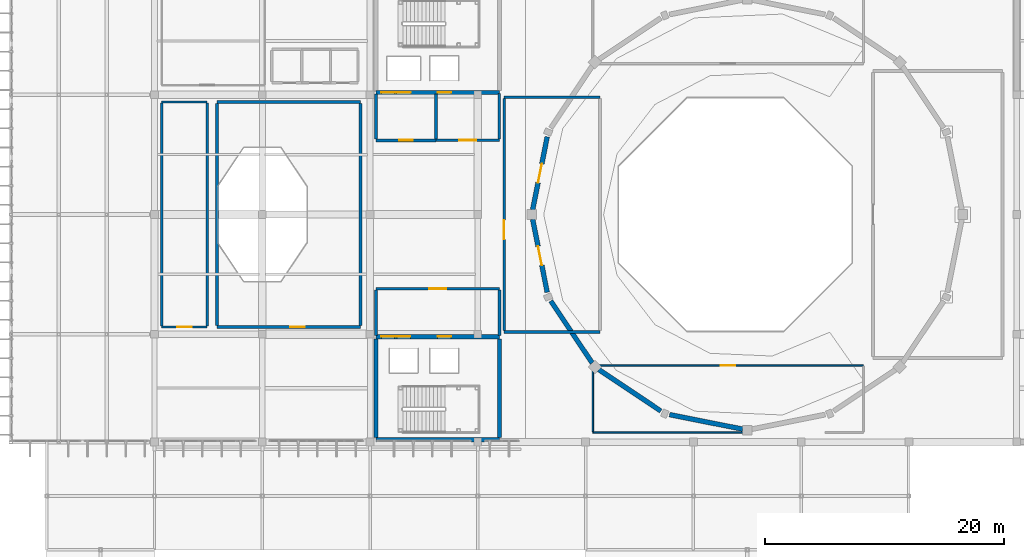
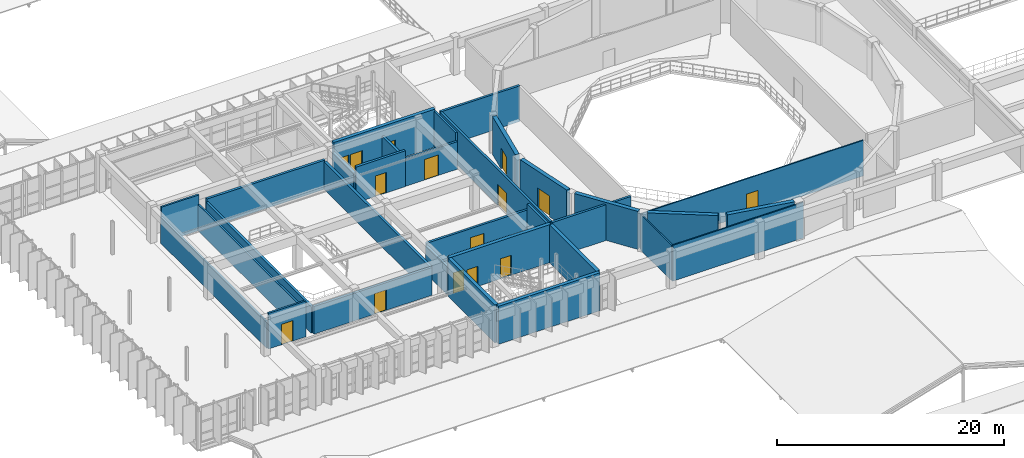
# One storey, part 69 of 80: 32 walls, 15 doors, 15 openings.
"""IFC4 building model written with IfcOpenShell, lengths in metres."""

from ifc_helpers import new_model, si_unit, direction, frame, frame_2d, origin, place, context, subcontext, project, spatial, rectangle, extrude, material, layer, layer_set, type_object, element, fill, save


model = new_model("IFC4")

# Units and contexts
model_context = context("Model", 3, precision=1e-05, world=origin(), true_north=direction((0.0, 1.0)))
body_context = subcontext(model_context, "Body", "Model", "MODEL_VIEW")
ifc_project = project(units=[si_unit("LENGTHUNIT", "METRE"), si_unit("AREAUNIT", "SQUARE_METRE"), si_unit("VOLUMEUNIT", "CUBIC_METRE"), si_unit("PLANEANGLEUNIT", "RADIAN"), si_unit("MASSUNIT", "GRAM", prefix="KILO")], contexts=[model_context])

# Site, building, storey
site_placement = place(None, origin())
site = spatial("IfcSite", under=ifc_project, at=site_placement, CompositionType="ELEMENT")
building_placement = place(site_placement, origin())
building = spatial("IfcBuilding", under=site, at=building_placement, Name="Miravela Opera House", CompositionType="ELEMENT")
storey_placement = place(building_placement, frame((0.0, 0.0, 17.679931640625)))
storey = spatial("IfcBuildingStorey", under=building, at=storey_placement, Name="L04", CompositionType="ELEMENT", Elevation=17.679931640625)

# Wall
ifc_material_1 = material(Name="Fire-rated acoustic gypsum partition")
ifc_layer_1 = layer(ifc_material_1, 0.1298828125)
ifc_layer_set_1 = layer_set([ifc_layer_1])
wall_type_1 = type_object("IfcWallType", Name="ARC-PT-130", PredefinedType="PARTITIONING", material=ifc_layer_set_1)
wall_1_placement = place(storey_placement, frame((63.60009765625, 37.800048828125, 0.0), z_axis=(0.0, 0.0, 1.0), x_axis=(1.0, 0.0, 0.0)))
element("IfcWall", 1, at=wall_1_placement, inside=storey, type_object=wall_type_1, Name="Opera Sound Archiving and Mastering Studio Partition South 1", PredefinedType="PARTITIONING", context=body_context, shape_type="SweptSolid", body=[
    extrude(rectangle(XDim=13.292236328125, YDim=0.1298828125, at=frame_2d((6.64599609375, 0.0))), origin(), (0.0, 0.0, 1.0), 3.840087890625),
])

# Wall, opening, door
wall_2_placement = place(storey_placement, frame((63.60009765625, 43.39990234375, 0.0), z_axis=(0.0, 0.0, 1.0), x_axis=(1.0, 0.0, 0.0)))
wall_2 = element("IfcWall", 2, at=wall_2_placement, inside=storey, type_object=wall_type_1, Name="Opera Sound Archiving and Mastering Studio Partition North", PredefinedType="PARTITIONING", context=body_context, shape_type="SweptSolid", body=[
    extrude(rectangle(XDim=22.599853515625, YDim=0.1298828125, at=frame_2d((11.2998046875, 0.0))), origin(), (0.0, 0.0, 1.0), 3.840087890625),
])
opening_1_placement = place(wall_2_placement, frame((10.699951171875, 0.0, 0.0)))
opening_1 = element("IfcOpeningElement", 3, at=opening_1_placement, cuts=wall_2, Name="Opening ID-04", PredefinedType="OPENING", context=body_context, shape_type="SweptSolid", body=[
    extrude(rectangle(XDim=1.199951171875, YDim=2.199951171875, at=frame_2d((0.60009765625, 1.10009765625))), frame((0.0, 0.074951171875, 0.0), z_axis=(0.0, -1.0, 0.0), x_axis=(1.0, 0.0, 0.0)), (0.0, 0.0, 1.0), 0.14990234375),
])
ifc_material_2 = material(Name="Wide acoustic ensemble door")
door_type_1 = type_object("IfcDoorType", Name="ARC-DR-1200X2200", OperationType="NOTDEFINED", PredefinedType="DOOR", material=ifc_material_2)
door_1_placement = place(opening_1_placement, origin())
door_1 = element("IfcDoor", 4, at=door_1_placement, inside=storey, type_object=door_type_1, Name="Opera Sound Archiving and Mastering Studio Entry Door IDR-L04-0321", OperationType="SINGLE_SWING_LEFT", OverallHeight=2.199951171875, OverallWidth=1.199951171875, PredefinedType="DOOR", context=body_context, shape_type="SweptSolid", body=[
    extrude(rectangle(XDim=1.199951171875, YDim=2.199951171875, at=frame_2d((0.60009765625, 1.10009765625))), frame((0.0, 0.02490234375, 0.0), z_axis=(0.0, -1.0, 0.0), x_axis=(1.0, 0.0, 0.0)), (0.0, 0.0, 1.0), 0.050048828125),
])
fill(opening_1, door_1)

# Wall
wall_3_placement = place(storey_placement, frame((63.60009765625, 37.864990234375, 0.0), z_axis=(0.0, 0.0, 1.0), x_axis=(0.0, 1.0, 0.0)))
element("IfcWall", 5, at=wall_3_placement, inside=storey, type_object=wall_type_1, Name="Opera Sound Archiving and Mastering Studio Partition West", PredefinedType="PARTITIONING", context=body_context, shape_type="SweptSolid", body=[
    extrude(rectangle(XDim=5.469970703125, YDim=0.1298828125, at=frame_2d((2.73486328125, 0.0))), origin(), (0.0, 0.0, 1.0), 3.840087890625),
])

# Wall, opening, door
ifc_material_3 = material(Name="Corridor fire-resisting masonry partition", Category="masonry")
ifc_layer_2 = layer(ifc_material_3, 0.18994140625)
ifc_layer_set_2 = layer_set([ifc_layer_2])
wall_type_2 = type_object("IfcWallType", Name="ARC-PT-190", PredefinedType="PARTITIONING", material=ifc_layer_set_2)
wall_4_placement = place(storey_placement, frame((27.60009765625, 46.60009765625, 0.0), z_axis=(0.0, 0.0, 1.0), x_axis=(1.0, 0.0, 0.0)))
wall_4 = element("IfcWall", 6, at=wall_4_placement, inside=storey, type_object=wall_type_2, Name="Radio and Television Broadcast Control Suite Partition South", PredefinedType="PARTITIONING", context=body_context, shape_type="SweptSolid", body=[
    extrude(rectangle(XDim=3.7998046875, YDim=0.18994140625, at=frame_2d((1.89990234375, 0.0))), origin(), (0.0, 0.0, 1.0), 3.840087890625),
])
opening_2_placement = place(wall_4_placement, frame((1.300048828125, 0.0, 0.0)))
opening_2 = element("IfcOpeningElement", 7, at=opening_2_placement, cuts=wall_4, Name="Opening FD-02", PredefinedType="OPENING", context=body_context, shape_type="SweptSolid", body=[
    extrude(rectangle(XDim=1.199951171875, YDim=2.199951171875, at=frame_2d((0.60009765625, 1.10009765625))), frame((0.0, 0.10498046875, 0.0), z_axis=(0.0, -1.0, 0.0), x_axis=(1.0, 0.0, 0.0)), (0.0, 0.0, 1.0), 0.2099609375),
])
ifc_material_4 = material(Name="Fire-rated gallery/plant exit door")
door_type_2 = type_object("IfcDoorType", Name="ARC-FD-1200X2200", OperationType="NOTDEFINED", PredefinedType="DOOR", material=ifc_material_4)
door_2_placement = place(opening_2_placement, origin())
door_2 = element("IfcDoor", 8, at=door_2_placement, inside=storey, type_object=door_type_2, Name="Radio and Television Broadcast Control Suite Entry Door IDR-L04-0312", OperationType="SINGLE_SWING_LEFT", OverallHeight=2.199951171875, OverallWidth=1.199951171875, PredefinedType="DOOR", context=body_context, shape_type="SweptSolid", body=[
    extrude(rectangle(XDim=1.199951171875, YDim=2.199951171875, at=frame_2d((0.60009765625, 1.10009765625))), frame((0.0, 0.02490234375, 0.0), z_axis=(0.0, -1.0, 0.0), x_axis=(1.0, 0.0, 0.0)), (0.0, 0.0, 1.0), 0.050048828125),
])
fill(opening_2, door_2)

# Walls
wall_5_placement = place(storey_placement, frame((27.60009765625, 65.39990234375, 0.0), z_axis=(0.0, 0.0, 1.0), x_axis=(1.0, 0.0, 0.0)))
element("IfcWall", 9, at=wall_5_placement, inside=storey, type_object=wall_type_2, Name="Radio and Television Broadcast Control Suite Partition North", PredefinedType="PARTITIONING", context=body_context, shape_type="SweptSolid", body=[
    extrude(rectangle(XDim=3.7998046875, YDim=0.18994140625, at=frame_2d((1.89990234375, 0.0))), origin(), (0.0, 0.0, 1.0), 3.840087890625),
])
for number, where, z_axis, x_axis, name in (
    (10, (27.60009765625, 46.695068359375, 0.0), (0.0, 0.0, 1.0), (0.0, 1.0, 0.0), "Radio and Television Broadcast Control Suite Partition West"),
    (11, (31.39990234375, 46.695068359375, 0.0), (0.0, 0.0, 1.0), (0.0, 1.0, 0.0), "Radio and Television Broadcast Control Suite Partition East"),
):
    element("IfcWall", number, at=place(storey_placement, frame(where, z_axis=z_axis, x_axis=x_axis)), inside=storey, type_object=wall_type_2, Name=name, PredefinedType="PARTITIONING", context=body_context, shape_type="SweptSolid", body=[
        extrude(rectangle(XDim=18.60986328125, YDim=0.18994140625, at=frame_2d((9.304931640625, 0.0))), origin(), (0.0, 0.0, 1.0), 2.820068359375),
    ])

# Wall, opening, door
ifc_material_5 = material(Name="High-STC auditorium lobby partition")
ifc_layer_3 = layer(ifc_material_5, 0.22998046875)
ifc_layer_set_3 = layer_set([ifc_layer_3])
wall_type_3 = type_object("IfcWallType", Name="ARC-PT-205", PredefinedType="PARTITIONING", material=ifc_layer_set_3)
wall_6_placement = place(storey_placement, frame((45.5, 49.800048828125, 0.0), z_axis=(0.0, 0.0, 1.0), x_axis=(1.0, 0.0, 0.0)))
wall_6 = element("IfcWall", 12, at=wall_6_placement, inside=storey, type_object=wall_type_3, Name="Passenger Lift Lobby K2 L04 Partition North", PredefinedType="PARTITIONING", context=body_context, shape_type="SweptSolid", body=[
    extrude(rectangle(XDim=10.300048828125, YDim=0.22998046875, at=frame_2d((5.14990234375, 0.0))), origin(), (0.0, 0.0, 1.0), 3.170166015625),
])
opening_3_placement = place(wall_6_placement, frame((4.449951171875, 0.0, 0.0)))
opening_3 = element("IfcOpeningElement", 13, at=opening_3_placement, cuts=wall_6, Name="Opening FD-03", PredefinedType="OPENING", context=body_context, shape_type="SweptSolid", body=[
    extrude(rectangle(XDim=1.39990234375, YDim=2.199951171875, at=frame_2d((0.699951171875, 1.10009765625))), frame((0.0, 0.125, 0.0), z_axis=(0.0, -1.0, 0.0), x_axis=(1.0, 0.0, 0.0)), (0.0, 0.0, 1.0), 0.25),
])
ifc_material_6 = material(Name="Fire-rated lobby/archive double door")
door_type_3 = type_object("IfcDoorType", Name="ARC-FD-1400X2200", OperationType="NOTDEFINED", PredefinedType="DOOR", material=ifc_material_6)
door_3_placement = place(opening_3_placement, origin())
door_3 = element("IfcDoor", 14, at=door_3_placement, inside=storey, type_object=door_type_3, Name="Passenger Lift Lobby K2 L04 Entry Door IDR-L04-0303", OperationType="DOUBLE_DOOR_SINGLE_SWING", OverallHeight=2.199951171875, OverallWidth=1.39990234375, PredefinedType="DOOR", context=body_context, shape_type="SweptSolid", body=[
    extrude(rectangle(XDim=1.39990234375, YDim=2.199951171875, at=frame_2d((0.699951171875, 1.10009765625))), frame((0.0, 0.02490234375, 0.0), z_axis=(0.0, -1.0, 0.0), x_axis=(1.0, 0.0, 0.0)), (0.0, 0.0, 1.0), 0.050048828125),
])
fill(opening_3, door_3)

# Walls
wall_7_placement = place(storey_placement, frame((45.5, 45.9150390625, 0.0), z_axis=(0.0, 0.0, 1.0), x_axis=(0.0, 1.0, 0.0)))
element("IfcWall", 15, at=wall_7_placement, inside=storey, type_object=wall_type_3, Name="Passenger Lift Lobby K2 L04 Partition West", PredefinedType="PARTITIONING", context=body_context, shape_type="SweptSolid", body=[
    extrude(rectangle(XDim=3.77001953125, YDim=0.22998046875, at=frame_2d((1.885009765625, 0.0))), origin(), (0.0, 0.0, 1.0), 2.969970703125),
])
wall_8_placement = place(storey_placement, frame((55.800048828125, 45.9150390625, 0.0), z_axis=(0.0, 0.0, 1.0), x_axis=(0.0, 1.0, 0.0)))
element("IfcWall", 16, at=wall_8_placement, inside=storey, type_object=wall_type_3, Name="Passenger Lift Lobby K2 L04 Partition East", PredefinedType="PARTITIONING", context=body_context, shape_type="SweptSolid", body=[
    extrude(rectangle(XDim=3.77001953125, YDim=0.22998046875, at=frame_2d((1.885009765625, 0.0))), origin(), (0.0, 0.0, 1.0), 3.840087890625),
])
for number, where, z_axis, x_axis, name in (
    (17, (56.199951171875, 46.199951171875, 0.0), (0.0, 0.0, 1.0), (1.0, 0.0, 0.0), "Opera Auditorium West Amphitheatre Salon Partition South"),
    (18, (56.199951171875, 65.800048828125, 0.0), (0.0, 0.0, 1.0), (1.0, 0.0, 0.0), "Opera Auditorium West Amphitheatre Salon Partition North"),
):
    element("IfcWall", number, at=place(storey_placement, frame(where, z_axis=z_axis, x_axis=x_axis)), inside=storey, type_object=wall_type_3, Name=name, PredefinedType="PARTITIONING", context=body_context, shape_type="SweptSolid", body=[
        extrude(rectangle(XDim=8.0, YDim=0.22998046875, at=frame_2d((4.0, 0.0))), origin(), (0.0, 0.0, 1.0), 3.840087890625),
    ])

# Wall, opening, door
wall_9_placement = place(storey_placement, frame((56.199951171875, 46.31494140625, 0.0), z_axis=(0.0, 0.0, 1.0), x_axis=(0.0, 1.0, 0.0)))
wall_9 = element("IfcWall", 19, at=wall_9_placement, inside=storey, type_object=wall_type_3, Name="Opera Auditorium West Amphitheatre Salon Partition West", PredefinedType="PARTITIONING", context=body_context, shape_type="SweptSolid", body=[
    extrude(rectangle(XDim=19.3701171875, YDim=0.22998046875, at=frame_2d((9.68505859375, 0.0))), origin(), (0.0, 0.0, 1.0), 3.840087890625),
])
opening_4_placement = place(wall_9_placement, frame((7.615234375, 0.0, 0.0)))
opening_4 = element("IfcOpeningElement", 20, at=opening_4_placement, cuts=wall_9, Name="Opening FD-04", PredefinedType="OPENING", context=body_context, shape_type="SweptSolid", body=[
    extrude(rectangle(XDim=1.60009765625, YDim=2.25, at=frame_2d((0.800048828125, 1.125))), frame((0.0, 0.125, 0.0), z_axis=(0.0, -1.0, 0.0), x_axis=(1.0, 0.0, 0.0)), (0.0, 0.0, 1.0), 0.25),
])
ifc_material_7 = material(Name="Fire-rated rehearsal/vomitory double door")
door_type_4 = type_object("IfcDoorType", Name="ARC-FD-1600X2250", OperationType="NOTDEFINED", PredefinedType="DOOR", material=ifc_material_7)
door_4_placement = place(opening_4_placement, origin())
door_4 = element("IfcDoor", 21, at=door_4_placement, inside=storey, type_object=door_type_4, Name="Opera Auditorium West Amphitheatre Salon Entry Door IDR-L04-0317", OperationType="DOUBLE_DOOR_SINGLE_SWING", OverallHeight=2.25, OverallWidth=1.60009765625, PredefinedType="DOOR", context=body_context, shape_type="SweptSolid", body=[
    extrude(rectangle(XDim=1.60009765625, YDim=2.25, at=frame_2d((0.800048828125, 1.125))), frame((0.0, 0.02490234375, 0.0), z_axis=(0.0, -1.0, 0.0), x_axis=(1.0, 0.0, 0.0)), (0.0, 0.0, 1.0), 0.050048828125),
])
fill(opening_4, door_4)

ifc_material_8 = material(Name="Workshop fire-resisting block partition")
ifc_layer_4 = layer(ifc_material_8, 0.2099609375)
ifc_layer_set_4 = layer_set([ifc_layer_4])
wall_type_4 = type_object("IfcWallType", Name="ARC-PT-210", PredefinedType="PARTITIONING", material=ifc_layer_set_4)
wall_10_placement = place(storey_placement, frame((50.5, 62.199951171875, 0.0), z_axis=(0.0, 0.0, 1.0), x_axis=(1.0, 0.0, 0.0)))
wall_10 = element("IfcWall", 22, at=wall_10_placement, inside=storey, type_object=wall_type_4, Name="Passenger Lift Lobby K1 L04 Partition South", PredefinedType="PARTITIONING", context=body_context, shape_type="SweptSolid", body=[
    extrude(rectangle(XDim=5.300048828125, YDim=0.2099609375, at=frame_2d((2.64990234375, 0.0))), origin(), (0.0, 0.0, 1.0), 2.969970703125),
])
opening_5_placement = place(wall_10_placement, frame((1.949951171875, 0.0, 0.0)))
opening_5 = element("IfcOpeningElement", 23, at=opening_5_placement, cuts=wall_10, Name="Opening FD-03", PredefinedType="OPENING", context=body_context, shape_type="SweptSolid", body=[
    extrude(rectangle(XDim=1.39990234375, YDim=2.199951171875, at=frame_2d((0.699951171875, 1.10009765625))), frame((0.0, 0.114990234375, 0.0), z_axis=(0.0, -1.0, 0.0), x_axis=(1.0, 0.0, 0.0)), (0.0, 0.0, 1.0), 0.22998046875),
])
door_5_placement = place(opening_5_placement, frame((1.39990234375, 0.0, 0.0), z_axis=(0.0, 0.0, 1.0), x_axis=(-1.0, 0.0, 0.0)))
door_5 = element("IfcDoor", 24, at=door_5_placement, inside=storey, type_object=door_type_3, Name="Passenger Lift Lobby K1 L04 Entry Door IDR-L04-0302", OperationType="DOUBLE_DOOR_SINGLE_SWING", OverallHeight=2.199951171875, OverallWidth=1.39990234375, PredefinedType="DOOR", context=body_context, shape_type="SweptSolid", body=[
    extrude(rectangle(XDim=1.39990234375, YDim=2.199951171875, at=frame_2d((0.699951171875, 1.10009765625))), frame((0.0, 0.02490234375, 0.0), z_axis=(0.0, -1.0, 0.0), x_axis=(1.0, 0.0, 0.0)), (0.0, 0.0, 1.0), 0.050048828125),
])
fill(opening_5, door_5)

# Wall
wall_11_placement = place(storey_placement, frame((55.800048828125, 62.304931640625, 0.0), z_axis=(0.0, 0.0, 1.0), x_axis=(0.0, 1.0, 0.0)))
element("IfcWall", 25, at=wall_11_placement, inside=storey, type_object=wall_type_4, Name="Passenger Lift Lobby K1 L04 Partition East", PredefinedType="PARTITIONING", context=body_context, shape_type="SweptSolid", body=[
    extrude(rectangle(XDim=3.7900390625, YDim=0.2099609375, at=frame_2d((1.89501953125, 0.0))), origin(), (0.0, 0.0, 1.0), 3.840087890625),
])

# Wall, opening, door
ifc_material_9 = material(Name="Firefighting lobby compartment wall")
ifc_layer_5 = layer(ifc_material_9, 0.25)
ifc_layer_set_5 = layer_set([ifc_layer_5])
wall_type_5 = type_object("IfcWallType", Name="ARC-PT-220", PredefinedType="PARTITIONING", material=ifc_layer_set_5)
wall_12_placement = place(storey_placement, frame((45.5, 62.199951171875, 0.0), z_axis=(0.0, 0.0, 1.0), x_axis=(1.0, 0.0, 0.0)))
wall_12 = element("IfcWall", 26, at=wall_12_placement, inside=storey, type_object=wall_type_5, Name="Firefighting Lobby K1 L04 Partition South", PredefinedType="PARTITIONING", context=body_context, shape_type="SweptSolid", body=[
    extrude(rectangle(XDim=5.0, YDim=0.25, at=frame_2d((2.5, 0.0))), origin(), (0.0, 0.0, 1.0), 3.840087890625),
])
opening_6_placement = place(wall_12_placement, frame((1.949951171875, 0.0, 0.0)))
opening_6 = element("IfcOpeningElement", 27, at=opening_6_placement, cuts=wall_12, Name="Opening FD-01", PredefinedType="OPENING", context=body_context, shape_type="SweptSolid", body=[
    extrude(rectangle(XDim=1.10009765625, YDim=2.199951171875, at=frame_2d((0.550048828125, 1.10009765625))), frame((0.0, 0.135009765625, 0.0), z_axis=(0.0, -1.0, 0.0), x_axis=(1.0, 0.0, 0.0)), (0.0, 0.0, 1.0), 0.27001953125),
])
ifc_material_10 = material(Name="Fire-rated steel/hardwood exit stair door", Category="steel")
door_type_5 = type_object("IfcDoorType", Name="ARC-FD-1100X2200", OperationType="NOTDEFINED", PredefinedType="DOOR", material=ifc_material_10)
door_6_placement = place(opening_6_placement, frame((1.10009765625, 0.0, 0.0), z_axis=(0.0, 0.0, 1.0), x_axis=(-1.0, 0.0, 0.0)))
door_6 = element("IfcDoor", 28, at=door_6_placement, inside=storey, type_object=door_type_5, Name="Firefighting Lobby K1 L04 Entry Door IDR-L04-0301", OperationType="SINGLE_SWING_RIGHT", OverallHeight=2.199951171875, OverallWidth=1.10009765625, PredefinedType="DOOR", context=body_context, shape_type="SweptSolid", body=[
    extrude(rectangle(XDim=1.10009765625, YDim=2.199951171875, at=frame_2d((0.550048828125, 1.10009765625))), frame((0.0, 0.02490234375, 0.0), z_axis=(0.0, -1.0, 0.0), x_axis=(1.0, 0.0, 0.0)), (0.0, 0.0, 1.0), 0.050048828125),
])
fill(opening_6, door_6)

# Walls
for number, where, z_axis, x_axis, name in (
    (29, (45.5, 62.324951171875, 0.0), (0.0, 0.0, 1.0), (0.0, 1.0, 0.0), "Firefighting Lobby K1 L04 Partition West"),
    (30, (50.5, 62.324951171875, 0.0), (0.0, 0.0, 1.0), (0.0, 1.0, 0.0), "Firefighting Lobby K1 L04 Partition East"),
):
    element("IfcWall", number, at=place(storey_placement, frame(where, z_axis=z_axis, x_axis=x_axis)), inside=storey, type_object=wall_type_5, Name=name, PredefinedType="PARTITIONING", context=body_context, shape_type="SweptSolid", body=[
        extrude(rectangle(XDim=3.75, YDim=0.25, at=frame_2d((1.875, 0.0))), origin(), (0.0, 0.0, 1.0), 3.070068359375),
    ])

# Wall, opening, door
wall_13_placement = place(storey_placement, frame((32.199951171875, 46.60009765625, 0.0), z_axis=(0.0, 0.0, 1.0), x_axis=(1.0, 0.0, 0.0)))
wall_13 = element("IfcWall", 31, at=wall_13_placement, inside=storey, type_object=wall_type_5, Name="Multilingual Interpretation and Surtitle Booths Partition South", PredefinedType="PARTITIONING", context=body_context, shape_type="SweptSolid", body=[
    extrude(rectangle(XDim=12.0, YDim=0.25, at=frame_2d((6.0, 0.0))), origin(), (0.0, 0.0, 1.0), 2.969970703125),
])
opening_7_placement = place(wall_13_placement, frame((6.14697265625, 0.0, 0.0)))
opening_7 = element("IfcOpeningElement", 32, at=opening_7_placement, cuts=wall_13, Name="Opening FD-02", PredefinedType="OPENING", context=body_context, shape_type="SweptSolid", body=[
    extrude(rectangle(XDim=1.199951171875, YDim=2.199951171875, at=frame_2d((0.60009765625, 1.10009765625))), frame((0.0, 0.135009765625, 0.0), z_axis=(0.0, -1.0, 0.0), x_axis=(1.0, 0.0, 0.0)), (0.0, 0.0, 1.0), 0.27001953125),
])
door_7_placement = place(opening_7_placement, origin())
door_7 = element("IfcDoor", 33, at=door_7_placement, inside=storey, type_object=door_type_2, Name="Multilingual Interpretation and Surtitle Booths Entry Door IDR-L04-0318", OperationType="SINGLE_SWING_RIGHT", OverallHeight=2.199951171875, OverallWidth=1.199951171875, PredefinedType="DOOR", context=body_context, shape_type="SweptSolid", body=[
    extrude(rectangle(XDim=1.199951171875, YDim=2.199951171875, at=frame_2d((0.60009765625, 1.10009765625))), frame((0.0, 0.02490234375, 0.0), z_axis=(0.0, -1.0, 0.0), x_axis=(1.0, 0.0, 0.0)), (0.0, 0.0, 1.0), 0.050048828125),
])
fill(opening_7, door_7)

# Walls
wall_14_placement = place(storey_placement, frame((32.199951171875, 65.39990234375, 0.0), z_axis=(0.0, 0.0, 1.0), x_axis=(1.0, 0.0, 0.0)))
element("IfcWall", 34, at=wall_14_placement, inside=storey, type_object=wall_type_5, Name="Multilingual Interpretation and Surtitle Booths Partition North", PredefinedType="PARTITIONING", context=body_context, shape_type="SweptSolid", body=[
    extrude(rectangle(XDim=12.0, YDim=0.25, at=frame_2d((6.0, 0.0))), origin(), (0.0, 0.0, 1.0), 3.1201171875),
])
wall_15_placement = place(storey_placement, frame((32.199951171875, 46.72509765625, 0.0), z_axis=(0.0, 0.0, 1.0), x_axis=(0.0, 1.0, 0.0)))
element("IfcWall", 35, at=wall_15_placement, inside=storey, type_object=wall_type_5, Name="Multilingual Interpretation and Surtitle Booths Partition West", PredefinedType="PARTITIONING", context=body_context, shape_type="SweptSolid", body=[
    extrude(rectangle(XDim=18.5498046875, YDim=0.25, at=frame_2d((9.27490234375, 0.0))), origin(), (0.0, 0.0, 1.0), 2.820068359375),
])
wall_16_placement = place(storey_placement, frame((44.199951171875, 46.72509765625, 0.0), z_axis=(0.0, 0.0, 1.0), x_axis=(0.0, 1.0, 0.0)))
element("IfcWall", 36, at=wall_16_placement, inside=storey, type_object=wall_type_5, Name="Multilingual Interpretation and Surtitle Booths Partition East", PredefinedType="PARTITIONING", context=body_context, shape_type="SweptSolid", body=[
    extrude(rectangle(XDim=18.5498046875, YDim=0.25, at=frame_2d((9.27490234375, 0.0))), origin(), (0.0, 0.0, 1.0), 2.969970703125),
])

# Wall, openings, doors
ifc_material_11 = material(Name="Concrete C40/50", Category="concrete")
ifc_layer_6 = layer(ifc_material_11, 0.35009765625)
ifc_layer_set_6 = layer_set([ifc_layer_6])
wall_type_6 = type_object("IfcWallType", Name="STR-WALL-CORE-350", PredefinedType="SHEAR", material=ifc_layer_set_6)
wall_17_placement = place(storey_placement, frame((45.5, 66.199951171875, 0.0), z_axis=(0.0, 0.0, 1.0), x_axis=(1.0, 0.0, 0.0)))
wall_17 = element("IfcWall", 37, at=wall_17_placement, inside=storey, type_object=wall_type_6, Name="Core K1 Shear Wall South (L04)", PredefinedType="SHEAR", context=body_context, shape_type="SweptSolid", body=[
    extrude(rectangle(XDim=10.300048828125, YDim=0.35009765625, at=frame_2d((5.14990234375, 0.0))), origin(), (0.0, 0.0, 1.0), 4.080078125),
])
opening_8_placement = place(wall_17_placement, frame((0.449951171875, 0.0, 0.0)))
opening_8 = element("IfcOpeningElement", 38, at=opening_8_placement, cuts=wall_17, Name="Opening FD-01", PredefinedType="OPENING", context=body_context, shape_type="SweptSolid", body=[
    extrude(rectangle(XDim=1.10009765625, YDim=2.199951171875, at=frame_2d((0.550048828125, 1.10009765625))), frame((0.0, 0.18505859375, 0.0), z_axis=(0.0, -1.0, 0.0), x_axis=(1.0, 0.0, 0.0)), (0.0, 0.0, 1.0), 0.3701171875),
])
opening_9_placement = place(wall_17_placement, frame((1.68994140625, 0.0, 0.0)))
opening_9 = element("IfcOpeningElement", 39, at=opening_9_placement, cuts=wall_17, Name="Opening LD-01", PredefinedType="OPENING", context=body_context, shape_type="SweptSolid", body=[
    extrude(rectangle(XDim=1.219970703125, YDim=2.199951171875, at=frame_2d((0.60986328125, 1.10009765625))), frame((0.0, 0.18505859375, 0.0), z_axis=(0.0, -1.0, 0.0), x_axis=(1.0, 0.0, 0.0)), (0.0, 0.0, 1.0), 0.3701171875),
])
opening_10_placement = place(wall_17_placement, frame((5.139892578125, 0.0, 0.0)))
opening_10 = element("IfcOpeningElement", 40, at=opening_10_placement, cuts=wall_17, Name="Opening LD-02", PredefinedType="OPENING", context=body_context, shape_type="SweptSolid", body=[
    extrude(rectangle(XDim=1.1201171875, YDim=2.159912109375, at=frame_2d((0.56005859375, 1.080078125))), frame((0.0, 0.18505859375, 0.0), z_axis=(0.0, -1.0, 0.0), x_axis=(1.0, 0.0, 0.0)), (0.0, 0.0, 1.0), 0.3701171875),
])
door_8_placement = place(opening_8_placement, origin())
door_8 = element("IfcDoor", 41, at=door_8_placement, inside=storey, type_object=door_type_5, Name="Exit Stair ST-01 Rated Door (L04) IDR-L04-0006", OperationType="SINGLE_SWING_RIGHT", OverallHeight=2.199951171875, OverallWidth=1.10009765625, PredefinedType="DOOR", context=body_context, shape_type="SweptSolid", body=[
    extrude(rectangle(XDim=1.10009765625, YDim=2.199951171875, at=frame_2d((0.550048828125, 1.10009765625))), frame((0.0, 0.02490234375, 0.0), z_axis=(0.0, -1.0, 0.0), x_axis=(1.0, 0.0, 0.0)), (0.0, 0.0, 1.0), 0.050048828125),
])
fill(opening_8, door_8)
ifc_material_12 = material(Name="Brushed stainless and bronze fire-rated lift landing door")
door_type_6 = type_object("IfcDoorType", Name="ARC-LD-FFL-1200X2200", OperationType="SLIDING_TO_LEFT", PredefinedType="DOOR", material=ifc_material_12)
door_9_placement = place(opening_9_placement, origin())
door_9 = element("IfcDoor", 42, at=door_9_placement, inside=storey, type_object=door_type_6, Name="Lift Landing Door FFL-01 (L04)", OperationType="SLIDING_TO_LEFT", OverallHeight=2.199951171875, OverallWidth=1.219970703125, PredefinedType="DOOR", context=body_context, shape_type="SweptSolid", body=[
    extrude(rectangle(XDim=1.219970703125, YDim=2.199951171875, at=frame_2d((0.60986328125, 1.10009765625))), frame((0.0, 0.02490234375, 0.0), z_axis=(0.0, -1.0, 0.0), x_axis=(1.0, 0.0, 0.0)), (0.0, 0.0, 1.0), 0.050048828125),
])
fill(opening_9, door_9)
door_type_7 = type_object("IfcDoorType", Name="ARC-LD-PAX-1100X2150", OperationType="SLIDING_TO_LEFT", PredefinedType="DOOR", material=ifc_material_12)
door_10_placement = place(opening_10_placement, origin())
door_10 = element("IfcDoor", 43, at=door_10_placement, inside=storey, type_object=door_type_7, Name="Lift Landing Door PL-01 (L04)", OperationType="SLIDING_TO_LEFT", OverallHeight=2.159912109375, OverallWidth=1.1201171875, PredefinedType="DOOR", context=body_context, shape_type="SweptSolid", body=[
    extrude(rectangle(XDim=1.1201171875, YDim=2.159912109375, at=frame_2d((0.56005859375, 1.080078125))), frame((0.0, 0.02490234375, 0.0), z_axis=(0.0, -1.0, 0.0), x_axis=(1.0, 0.0, 0.0)), (0.0, 0.0, 1.0), 0.050048828125),
])
fill(opening_10, door_10)

# Wall
wall_18_placement = place(storey_placement, frame((45.5, 37.199951171875, 0.0), z_axis=(0.0, 0.0, 1.0), x_axis=(1.0, 0.0, 0.0)))
element("IfcWall", 44, at=wall_18_placement, inside=storey, type_object=wall_type_6, Name="Core K2 Shear Wall South (L04)", PredefinedType="SHEAR", context=body_context, shape_type="SweptSolid", body=[
    extrude(rectangle(XDim=10.300048828125, YDim=0.35009765625, at=frame_2d((5.14990234375, 0.0))), origin(), (0.0, 0.0, 1.0), 4.080078125),
])

# Wall, openings, doors
wall_19_placement = place(storey_placement, frame((45.5, 45.800048828125, 0.0), z_axis=(0.0, 0.0, 1.0), x_axis=(1.0, 0.0, 0.0)))
wall_19 = element("IfcWall", 45, at=wall_19_placement, inside=storey, type_object=wall_type_6, Name="Core K2 Shear Wall North (L04)", PredefinedType="SHEAR", context=body_context, shape_type="SweptSolid", body=[
    extrude(rectangle(XDim=10.300048828125, YDim=0.35009765625, at=frame_2d((5.14990234375, 0.0))), origin(), (0.0, 0.0, 1.0), 4.080078125),
])
opening_11_placement = place(wall_19_placement, frame((0.449951171875, 0.0, 0.0)))
opening_11 = element("IfcOpeningElement", 46, at=opening_11_placement, cuts=wall_19, Name="Opening FD-01", PredefinedType="OPENING", context=body_context, shape_type="SweptSolid", body=[
    extrude(rectangle(XDim=1.10009765625, YDim=2.199951171875, at=frame_2d((0.550048828125, 1.10009765625))), frame((0.0, 0.18505859375, 0.0), z_axis=(0.0, -1.0, 0.0), x_axis=(1.0, 0.0, 0.0)), (0.0, 0.0, 1.0), 0.3701171875),
])
opening_12_placement = place(wall_19_placement, frame((1.739990234375, 0.0, 0.0)))
opening_12 = element("IfcOpeningElement", 47, at=opening_12_placement, cuts=wall_19, Name="Opening LD-02", PredefinedType="OPENING", context=body_context, shape_type="SweptSolid", body=[
    extrude(rectangle(XDim=1.1201171875, YDim=2.159912109375, at=frame_2d((0.56005859375, 1.080078125))), frame((0.0, 0.18505859375, 0.0), z_axis=(0.0, -1.0, 0.0), x_axis=(1.0, 0.0, 0.0)), (0.0, 0.0, 1.0), 0.3701171875),
])
opening_13_placement = place(wall_19_placement, frame((5.139892578125, 0.0, 0.0)))
opening_13 = element("IfcOpeningElement", 48, at=opening_13_placement, cuts=wall_19, Name="Opening LD-02", PredefinedType="OPENING", context=body_context, shape_type="SweptSolid", body=[
    extrude(rectangle(XDim=1.1201171875, YDim=2.159912109375, at=frame_2d((0.56005859375, 1.080078125))), frame((0.0, 0.18505859375, 0.0), z_axis=(0.0, -1.0, 0.0), x_axis=(1.0, 0.0, 0.0)), (0.0, 0.0, 1.0), 0.3701171875),
])
door_11_placement = place(opening_11_placement, frame((1.10009765625, 0.0, 0.0), z_axis=(0.0, 0.0, 1.0), x_axis=(-1.0, 0.0, 0.0)))
door_11 = element("IfcDoor", 49, at=door_11_placement, inside=storey, type_object=door_type_5, Name="Exit Stair ST-02 Rated Door (L04) IDR-L04-0013", OperationType="SINGLE_SWING_LEFT", OverallHeight=2.199951171875, OverallWidth=1.10009765625, PredefinedType="DOOR", context=body_context, shape_type="SweptSolid", body=[
    extrude(rectangle(XDim=1.10009765625, YDim=2.199951171875, at=frame_2d((0.550048828125, 1.10009765625))), frame((0.0, 0.02490234375, 0.0), z_axis=(0.0, -1.0, 0.0), x_axis=(1.0, 0.0, 0.0)), (0.0, 0.0, 1.0), 0.050048828125),
])
fill(opening_11, door_11)
door_12_placement = place(opening_12_placement, origin())
door_12 = element("IfcDoor", 50, at=door_12_placement, inside=storey, type_object=door_type_7, Name="Lift Landing Door PL-02 (L04)", OperationType="SLIDING_TO_LEFT", OverallHeight=2.159912109375, OverallWidth=1.1201171875, PredefinedType="DOOR", context=body_context, shape_type="SweptSolid", body=[
    extrude(rectangle(XDim=1.1201171875, YDim=2.159912109375, at=frame_2d((0.56005859375, 1.080078125))), frame((0.0, 0.02490234375, 0.0), z_axis=(0.0, -1.0, 0.0), x_axis=(1.0, 0.0, 0.0)), (0.0, 0.0, 1.0), 0.050048828125),
])
fill(opening_12, door_12)
door_13_placement = place(opening_13_placement, origin())
door_13 = element("IfcDoor", 51, at=door_13_placement, inside=storey, type_object=door_type_7, Name="Lift Landing Door PL-03 (L04)", OperationType="SLIDING_TO_LEFT", OverallHeight=2.159912109375, OverallWidth=1.1201171875, PredefinedType="DOOR", context=body_context, shape_type="SweptSolid", body=[
    extrude(rectangle(XDim=1.1201171875, YDim=2.159912109375, at=frame_2d((0.56005859375, 1.080078125))), frame((0.0, 0.02490234375, 0.0), z_axis=(0.0, -1.0, 0.0), x_axis=(1.0, 0.0, 0.0)), (0.0, 0.0, 1.0), 0.050048828125),
])
fill(opening_13, door_13)

# Walls
for number, where, z_axis, x_axis, name in (
    (52, (45.5, 37.375, 0.0), (0.0, 0.0, 1.0), (0.0, 1.0, 0.0), "Core K2 Shear Wall West (L04)"),
    (53, (55.800048828125, 37.375, 0.0), (0.0, 0.0, 1.0), (0.0, 1.0, 0.0), "Core K2 Shear Wall East (L04)"),
):
    element("IfcWall", number, at=place(storey_placement, frame(where, z_axis=z_axis, x_axis=x_axis)), inside=storey, type_object=wall_type_6, Name=name, PredefinedType="SHEAR", context=body_context, shape_type="SweptSolid", body=[
        extrude(rectangle(XDim=8.25, YDim=0.35009765625, at=frame_2d((4.125, 0.0))), origin(), (0.0, 0.0, 1.0), 4.080078125),
    ])

# Wall, opening, door
ifc_layer_7 = layer(ifc_material_11, 0.39990234375)
ifc_layer_set_7 = layer_set([ifc_layer_7])
wall_type_7 = type_object("IfcWallType", Name="STR-WALL-DRUM-400", PredefinedType="SHEAR", material=ifc_layer_set_7)
wall_20_placement = place(storey_placement, frame((59.792236328125, 62.49609375, 0.0), z_axis=(0.0, 0.0, 1.0), x_axis=(-0.195127752786, -0.980777834218, 0.0)))
wall_20 = element("IfcWall", 54, at=wall_20_placement, inside=storey, type_object=wall_type_7, Name="Auditorium Drum Shear Wall L04 Seg 8", PredefinedType="SHEAR", context=body_context, shape_type="SweptSolid", body=[
    extrude(rectangle(XDim=6.223388671875, YDim=0.39990234375, at=frame_2d((3.11181640625, 0.0))), origin(), (0.0, 0.0, 1.0), 4.080078125),
])
opening_14_placement = place(wall_20_placement, frame((2.3115234375, 0.0, 0.0)))
opening_14 = element("IfcOpeningElement", 55, at=opening_14_placement, cuts=wall_20, Name="Opening FD-04", PredefinedType="OPENING", context=body_context, shape_type="SweptSolid", body=[
    extrude(rectangle(XDim=1.60009765625, YDim=2.25, at=frame_2d((0.800048828125, 1.125))), frame((0.0, 0.2099609375, 0.0), z_axis=(0.0, -1.0, 0.0), x_axis=(1.0, 0.0, 0.0)), (0.0, 0.0, 1.0), 0.419921875),
])
door_14_placement = place(opening_14_placement, frame((1.60009765625, 0.0, 0.0), z_axis=(0.0, 0.0, 1.0), x_axis=(-1.0, 0.0, 0.0)))
door_14 = element("IfcDoor", 56, at=door_14_placement, inside=storey, type_object=door_type_4, Name="Auditorium Drum Acoustic Vestibule Door L04-S8 IDR-L04-0366", OperationType="DOUBLE_DOOR_SINGLE_SWING", OverallHeight=2.25, OverallWidth=1.60009765625, PredefinedType="DOOR", context=body_context, shape_type="SweptSolid", body=[
    extrude(rectangle(XDim=1.60009765625, YDim=2.25, at=frame_2d((0.800048828125, 1.125))), frame((0.0, 0.02490234375, 0.0), z_axis=(0.0, -1.0, 0.0), x_axis=(1.0, 0.0, 0.0)), (0.0, 0.0, 1.0), 0.050048828125),
])
fill(opening_14, door_14)

wall_21_placement = place(storey_placement, frame((58.577880859375, 55.607666015625, 0.0), z_axis=(0.0, 0.0, 1.0), x_axis=(0.195127752786, -0.980777834218, 0.0)))
wall_21 = element("IfcWall", 57, at=wall_21_placement, inside=storey, type_object=wall_type_7, Name="Auditorium Drum Shear Wall L04 Seg 9", PredefinedType="SHEAR", context=body_context, shape_type="SweptSolid", body=[
    extrude(rectangle(XDim=6.223388671875, YDim=0.39990234375, at=frame_2d((3.11181640625, 0.0))), origin(), (0.0, 0.0, 1.0), 4.080078125),
])
opening_15_placement = place(wall_21_placement, frame((2.3115234375, 0.0, 0.0)))
opening_15 = element("IfcOpeningElement", 58, at=opening_15_placement, cuts=wall_21, Name="Opening FD-04", PredefinedType="OPENING", context=body_context, shape_type="SweptSolid", body=[
    extrude(rectangle(XDim=1.60009765625, YDim=2.25, at=frame_2d((0.800048828125, 1.125))), frame((0.0, 0.2099609375, 0.0), z_axis=(0.0, -1.0, 0.0), x_axis=(1.0, 0.0, 0.0)), (0.0, 0.0, 1.0), 0.419921875),
])
door_15_placement = place(opening_15_placement, frame((1.60009765625, 0.0, 0.0), z_axis=(0.0, 0.0, 1.0), x_axis=(-1.0, 0.0, 0.0)))
door_15 = element("IfcDoor", 59, at=door_15_placement, inside=storey, type_object=door_type_4, Name="Auditorium Drum Acoustic Vestibule Door L04-S9 IDR-L04-0367", OperationType="DOUBLE_DOOR_SINGLE_SWING", OverallHeight=2.25, OverallWidth=1.60009765625, PredefinedType="DOOR", context=body_context, shape_type="SweptSolid", body=[
    extrude(rectangle(XDim=1.60009765625, YDim=2.25, at=frame_2d((0.800048828125, 1.125))), frame((0.0, 0.02490234375, 0.0), z_axis=(0.0, -1.0, 0.0), x_axis=(1.0, 0.0, 0.0)), (0.0, 0.0, 1.0), 0.050048828125),
])
fill(opening_15, door_15)

# Walls
for number, where, z_axis, x_axis, name in (
    (60, (60.09228515625, 48.779052734375, 0.0), (0.0, 0.0, 1.0), (0.555587101324, -0.831458341015, 0.0), "Auditorium Drum Shear Wall L04 Seg 10"),
    (61, (64.104736328125, 43.0498046875, 0.0), (0.0, 0.0, 1.0), (0.831458341015, -0.555587101324, 0.0), "Auditorium Drum Shear Wall L04 Seg 11"),
):
    element("IfcWall", number, at=place(storey_placement, frame(where, z_axis=z_axis, x_axis=x_axis)), inside=storey, type_object=wall_type_7, Name=name, PredefinedType="SHEAR", context=body_context, shape_type="SweptSolid", body=[
        extrude(rectangle(XDim=6.22314453125, YDim=0.39990234375, at=frame_2d((3.111572265625, 0.0))), origin(), (0.0, 0.0, 1.0), 4.080078125),
    ])
wall_22_placement = place(storey_placement, frame((70.00390625, 39.292236328125, 0.0), z_axis=(0.0, 0.0, 1.0), x_axis=(0.980777834218, -0.195127752786, 0.0)))
element("IfcWall", 62, at=wall_22_placement, inside=storey, type_object=wall_type_7, Name="Auditorium Drum Shear Wall L04 Seg 12", PredefinedType="SHEAR", context=body_context, shape_type="SweptSolid", body=[
    extrude(rectangle(XDim=6.223388671875, YDim=0.39990234375, at=frame_2d((3.11181640625, 0.0))), origin(), (0.0, 0.0, 1.0), 4.080078125),
])

save(model, "model.ifc")
